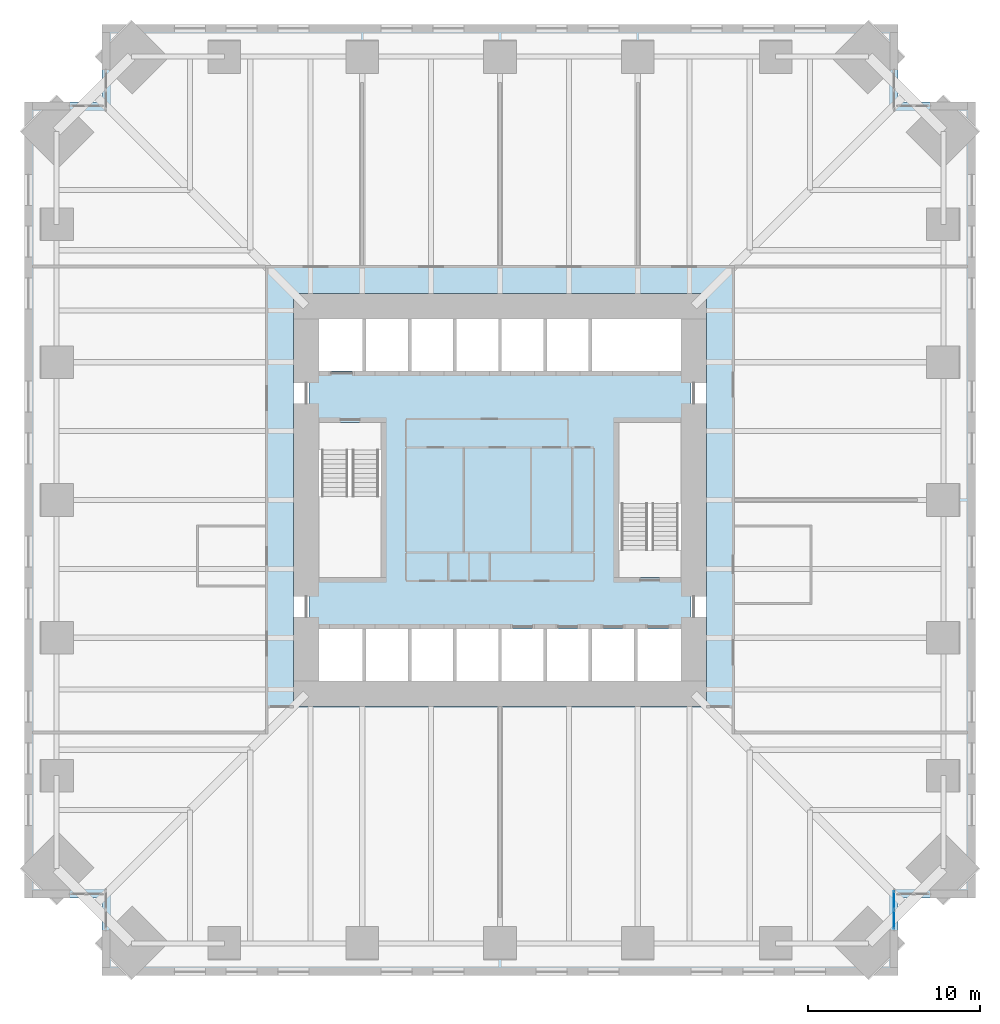
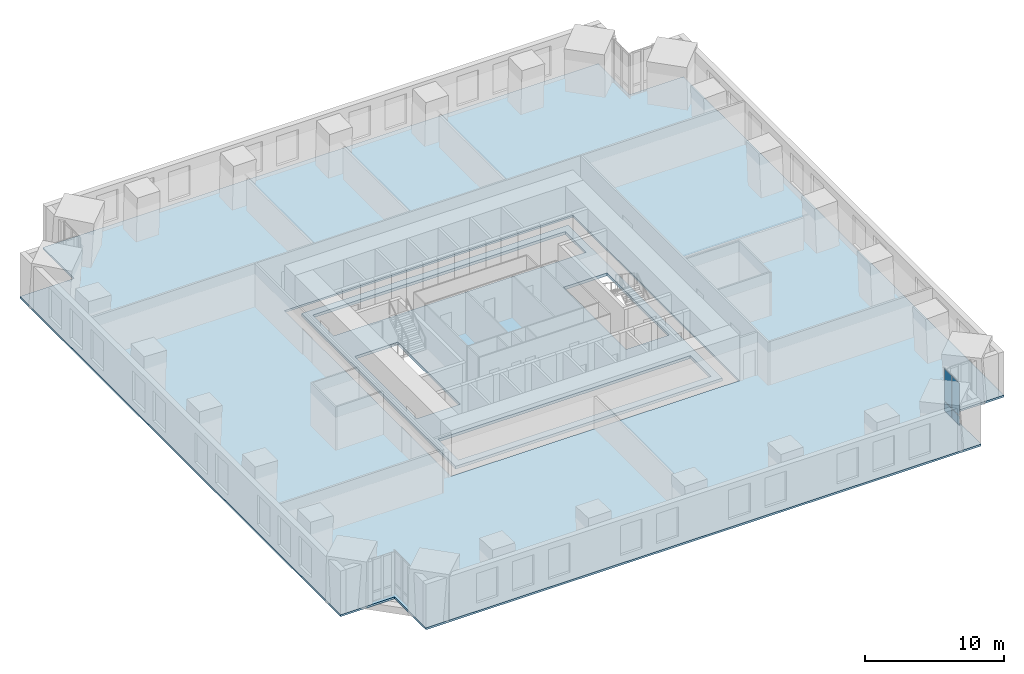
# One storey, part 10 of 16: 4 plates, 2 slabs, 1 element without a shape of its own.
"""IFC4 building model written with IfcOpenShell, lengths in metres."""

from ifc_helpers import new_model, si_unit, direction, frame, origin, origin_2d, place, context, subcontext, project, spatial, polyline, rectangle, outline, extrude, material, layer, layer_set, type_object, element, aggregate, save


model = new_model("IFC4")

# Units and contexts
model_context = context("Model", 3, precision=1e-05, world=origin(), true_north=direction((0.0, 1.0)))
body_context = subcontext(model_context, "Body", "Model", "MODEL_VIEW")
ifc_project = project(units=[si_unit("LENGTHUNIT", "METRE"), si_unit("AREAUNIT", "SQUARE_METRE"), si_unit("VOLUMEUNIT", "CUBIC_METRE"), si_unit("PLANEANGLEUNIT", "RADIAN"), si_unit("MASSUNIT", "GRAM", prefix="KILO")], contexts=[model_context])

# Site, building, storey
site_placement = place(None, origin())
site = spatial("IfcSite", under=ifc_project, at=site_placement, CompositionType="ELEMENT")
building_placement = place(site_placement, origin())
building = spatial("IfcBuilding", under=site, at=building_placement, Name="Peilmerk Tower", CompositionType="ELEMENT")
storey_placement = place(building_placement, frame((0.0, 0.0, 127.800048828125)))
storey = spatial("IfcBuildingStorey", under=building, at=storey_placement, Name="L25", CompositionType="ELEMENT", Elevation=127.800048828125)

# Slab
ifc_material_1 = material(Name="Concrete C55/67", Category="concrete")
ifc_layer_1 = layer(ifc_material_1, 0.25)
ifc_layer_set_1 = layer_set([ifc_layer_1], Name="Concrete C55/67")
slab_type_1 = type_object("IfcSlabType", Name="CS250 250 core floor slab", PredefinedType="FLOOR", material=ifc_layer_set_1)
slab_1_placement = place(storey_placement, frame((0.0, 0.0, -0.25)))
element("IfcSlab", 1, at=slab_1_placement, inside=storey, type_object=slab_type_1, Name="Core slab L25", PredefinedType="FLOOR", context=body_context, shape_type="SweptSolid", body=[
    extrude(outline(polyline([(-11.10009765625, -11.10009765625), (11.10009765625, -11.10009765625), (11.10009765625, 11.10009765625), (-11.10009765625, 11.10009765625), (-11.10009765625, -11.10009765625)]), holes=[polyline([(10.5, 10.5), (10.5, 7.5), (-10.5, 7.5), (-10.5, 10.5), (10.5, 10.5)]), polyline([(-10.5, -10.5), (-10.5, -7.5), (10.5, -7.5), (10.5, -10.5), (-10.5, -10.5)]), polyline([(-10.5, 4.5), (-6.89990234375, 4.5), (-6.89990234375, -4.5), (-10.5, -4.5), (-10.5, 4.5)]), polyline([(10.5, 4.5), (10.5, -4.5), (6.89990234375, -4.5), (6.89990234375, 4.5), (10.5, 4.5)])]), origin(), (0.0, 0.0, 1.0), 0.25),
])

# Curtain wall, plates
ifc_material_2 = material(Name="Aluminium stick curtain wall", Category="aluminium")
curtain_wall_type = type_object("IfcCurtainWallType", Name="CW3 stick curtain wall, 2250 module", PredefinedType="NOTDEFINED", material=ifc_material_2)
curtain_wall_placement = place(storey_placement, origin())
curtain_wall = element("IfcCurtainWall", 2, at=curtain_wall_placement, inside=storey, type_object=curtain_wall_type, Name="Curtain wall CW3 SEA L25", PredefinedType="NOTDEFINED")
ifc_material_3 = material(Name="Clear insulated glazing unit", Category="glass")
ifc_layer_2 = layer(ifc_material_3, 0.028076171875)
ifc_layer_set_2 = layer_set([ifc_layer_2], Name="Clear insulated glazing unit")
plate_type = type_object("IfcPlateType", Name="CW3-P 28 glazed panel", PredefinedType="CURTAIN_PANEL", material=ifc_layer_set_2)
plate_1_placement = place(storey_placement, frame((22.875, -23.238525390625, 0.06494140625), z_axis=(0.0, 0.0, 1.0), x_axis=(0.0, -1.0, 0.0)))
plate_1 = element("IfcPlate", 3, at=plate_1_placement, type_object=plate_type, Name="CW3 panel 1.1", PredefinedType="CURTAIN_PANEL", context=body_context, shape_type="SweptSolid", body=[
    extrude(rectangle(XDim=1.046875, YDim=0.028076171875, at=origin_2d()), origin(), (0.0, 0.0, 1.0), 0.802490234375),
])
plate_2_placement = place(storey_placement, frame((22.875, -23.238525390625, 0.932373046875), z_axis=(0.0, 0.0, 1.0), x_axis=(0.0, -1.0, 0.0)))
plate_2 = element("IfcPlate", 4, at=plate_2_placement, type_object=plate_type, Name="CW3 panel 1.2", PredefinedType="CURTAIN_PANEL", context=body_context, shape_type="SweptSolid", body=[
    extrude(rectangle(XDim=1.046875, YDim=0.028076171875, at=origin_2d()), origin(), (0.0, 0.0, 1.0), 2.83251953125),
])
plate_3_placement = place(storey_placement, frame((22.875, -24.350341796875, 0.06494140625), z_axis=(0.0, 0.0, 1.0), x_axis=(0.0, -1.0, 0.0)))
plate_3 = element("IfcPlate", 5, at=plate_3_placement, type_object=plate_type, Name="CW3 panel 2.1", PredefinedType="CURTAIN_PANEL", context=body_context, shape_type="SweptSolid", body=[
    extrude(rectangle(XDim=1.046875, YDim=0.028076171875, at=origin_2d()), origin(), (0.0, 0.0, 1.0), 0.802490234375),
])
plate_4_placement = place(storey_placement, frame((22.875, -24.350341796875, 0.932373046875), z_axis=(0.0, 0.0, 1.0), x_axis=(0.0, -1.0, 0.0)))
plate_4 = element("IfcPlate", 6, at=plate_4_placement, type_object=plate_type, Name="CW3 panel 2.2", PredefinedType="CURTAIN_PANEL", context=body_context, shape_type="SweptSolid", body=[
    extrude(rectangle(XDim=1.046875, YDim=0.028076171875, at=origin_2d()), origin(), (0.0, 0.0, 1.0), 2.83251953125),
])
aggregate(curtain_wall, [plate_1, plate_2, plate_3, plate_4])

# Slab
ifc_material_4 = material(Name="Concrete C35/45", Category="concrete")
ifc_layer_3 = layer(ifc_material_4, 0.169921875)
ifc_layer_set_3 = layer_set([ifc_layer_3], Name="Concrete C35/45")
slab_type_2 = type_object("IfcSlabType", Name="FS170 170 composite floor slab", PredefinedType="FLOOR", material=ifc_layer_set_3)
slab_2_placement = place(storey_placement, frame((0.0, 0.0, -0.170166015625)))
element("IfcSlab", 7, at=slab_2_placement, inside=storey, type_object=slab_type_2, Name="Floor slab L25", PredefinedType="FLOOR", context=body_context, shape_type="SweptSolid", body=[
    extrude(outline(polyline([(-23.10009765625, -27.60009765625), (23.10009765625, -27.60009765625), (23.10009765625, -23.10009765625), (27.60009765625, -23.10009765625), (27.60009765625, 23.10009765625), (23.10009765625, 23.10009765625), (23.10009765625, 27.60009765625), (-23.10009765625, 27.60009765625), (-23.10009765625, 23.10009765625), (-27.60009765625, 23.10009765625), (-27.60009765625, -23.10009765625), (-23.10009765625, -23.10009765625), (-23.10009765625, -27.60009765625)]), holes=[polyline([(12.0, 12.0), (12.0, -12.0), (-12.0, -12.0), (-12.0, 12.0), (12.0, 12.0)])]), origin(), (0.0, 0.0, 1.0), 0.170166015625),
])

save(model, "model.ifc")
